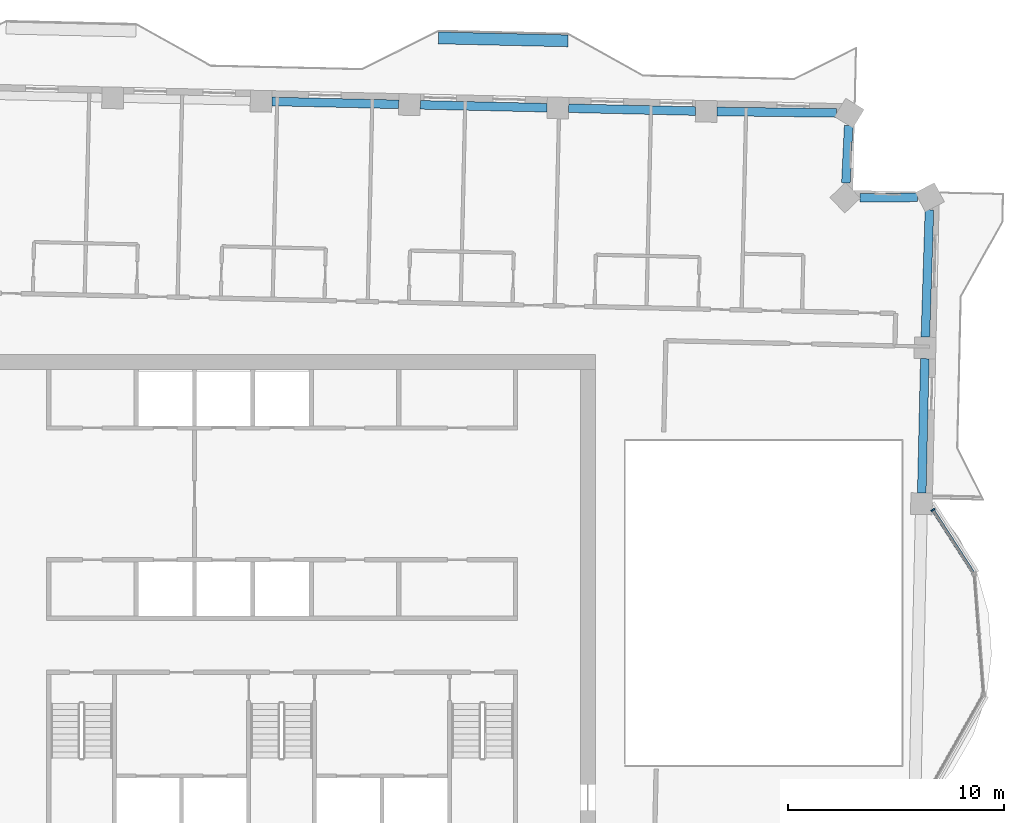
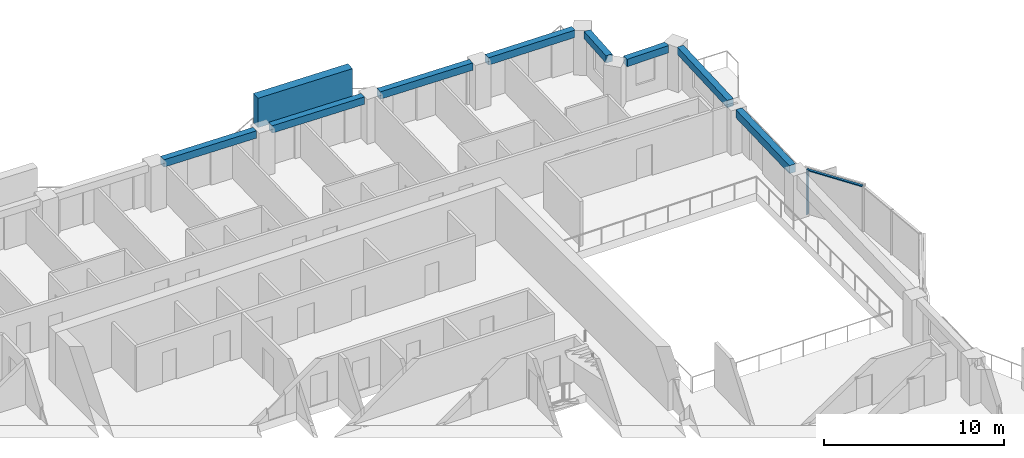
# One storey, part 4 of 17: 8 beams, 3 members, 1 element without a shape of its own.
"""IFC4 building model written with IfcOpenShell, lengths in metres."""

from ifc_helpers import new_model, si_unit, direction, frame, origin, origin_2d, place, context, subcontext, project, spatial, rectangle, extrude, material, material_profile, profile_set, type_object, element, aggregate, save


model = new_model("IFC4")

# Units and contexts
model_context = context("Model", 3, precision=1e-05, world=origin(), true_north=direction((0.0, 1.0)))
body_context = subcontext(model_context, "Body", "Model", "MODEL_VIEW")
ifc_project = project(units=[si_unit("LENGTHUNIT", "METRE"), si_unit("AREAUNIT", "SQUARE_METRE"), si_unit("VOLUMEUNIT", "CUBIC_METRE"), si_unit("PLANEANGLEUNIT", "RADIAN"), si_unit("MASSUNIT", "GRAM", prefix="KILO")], contexts=[model_context])

# Site, building, storey
site_placement = place(None, origin())
site = spatial("IfcSite", under=ifc_project, at=site_placement, CompositionType="ELEMENT")
building_placement = place(site_placement, origin())
building = spatial("IfcBuilding", under=site, at=building_placement, Name="Mangrove Gate Tower", CompositionType="ELEMENT")
storey_placement = place(building_placement, frame((0.0, 0.0, 268.10009765625)))
storey = spatial("IfcBuildingStorey", under=building, at=storey_placement, Name="L68", CompositionType="ELEMENT", Elevation=268.10009765625)

# Curtain wall, members
ifc_material_1 = material(Name="Aluminium and glass curtain wall", Category="aluminium")
curtain_wall_type = type_object("IfcCurtainWallType", Name="Atrium garden-court glazing wall", PredefinedType="NOTDEFINED", material=ifc_material_1)
curtain_wall_placement = place(storey_placement, origin())
curtain_wall = element("IfcCurtainWall", 1, at=curtain_wall_placement, inside=storey, type_object=curtain_wall_type, Name="Atrium garden-court glazing E1f3", PredefinedType="NOTDEFINED")
ifc_material_2 = material(Name="Aluminium alloy 6063-T6", Category="aluminium")
ifc_material_profile_1 = material_profile(ifc_material_2, rectangle(XDim=0.070068359375, YDim=0.199951171875, at=origin_2d()))
ifc_profile_set_1 = profile_set([ifc_material_profile_1], Name="Aluminium alloy 6063-T6")
member_type_1 = type_object("IfcMemberType", Name="Atrium garden-court glazing mullion 70x200", PredefinedType="MULLION", material=ifc_profile_set_1)
member_1_placement = place(storey_placement, frame((30.1083984375, 4.305419921875, 0.0), z_axis=(0.0, 0.0, 1.0), x_axis=(-0.540498107045, 0.841345230141, 0.0)))
member_1 = element("IfcMember", 2, at=member_1_placement, type_object=member_type_1, Name="CWA mullion 2", PredefinedType="MULLION", context=body_context, shape_type="SweptSolid", body=[
    extrude(rectangle(XDim=0.070068359375, YDim=0.199951171875, at=origin_2d()), origin(), (0.0, 0.0, 1.0), 3.0498046875),
])
ifc_material_3 = material(Name="Aluminium alloy 6063-T6", Category="aluminium")
ifc_material_profile_2 = material_profile(ifc_material_3, rectangle(XDim=0.070068359375, YDim=0.14990234375, at=origin_2d()))
ifc_profile_set_2 = profile_set([ifc_material_profile_2], Name="Aluminium alloy 6063-T6")
member_type_2 = type_object("IfcMemberType", Name="Atrium garden-court glazing transom 70x150", PredefinedType="USERDEFINED", material=ifc_profile_set_2)
member_2_placement = place(storey_placement, frame((31.980224609375, 1.391845703125, 3.014892578125), z_axis=(-0.540520015827, 0.84133115507, 0.0), x_axis=(0.0, 0.0, 1.0)))
member_2 = element("IfcMember", 3, at=member_2_placement, type_object=member_type_2, Name="CWA transom 1.2", ObjectType="TRANSOM", PredefinedType="USERDEFINED", context=body_context, shape_type="SweptSolid", body=[
    extrude(rectangle(XDim=0.070068359375, YDim=0.14990234375, at=origin_2d()), origin(), (0.0, 0.0, 1.0), 3.42822265625),
])
aggregate(curtain_wall, [member_1, member_2])

# Member
ifc_material_4 = material(Name="Planting on aluminium trellis", Category="aluminium")
ifc_material_profile_3 = material_profile(ifc_material_4, rectangle(XDim=0.550048828125, YDim=2.0, at=origin_2d()))
ifc_profile_set_3 = profile_set([ifc_material_profile_3], Name="Planting on aluminium trellis")
member_type_3 = type_object("IfcMemberType", Name="Balcony greenery screen 550x2000", PredefinedType="USERDEFINED", material=ifc_profile_set_3)
member_3_placement = place(storey_placement, frame((7.23193359375, 26.14404296875, 1.7998046875), z_axis=(0.999743178102, -0.022662255828, 0.0), x_axis=(0.022662255828, 0.999743178102, 0.0)))
element("IfcMember", 4, at=member_3_placement, inside=storey, type_object=member_type_3, Name="GREEN SCREEN L68 N0.1", ObjectType="PLANTING", PredefinedType="USERDEFINED", context=body_context, shape_type="SweptSolid", body=[
    extrude(rectangle(XDim=0.550048828125, YDim=2.0, at=origin_2d()), origin(), (0.0, 0.0, 1.0), 6.00048828125),
])

# Beams
ifc_material_5 = material(Name="Concrete C50/60", Category="concrete")
ifc_material_profile_4 = material_profile(ifc_material_5, rectangle(XDim=0.39990234375, YDim=0.5, at=origin_2d()))
ifc_profile_set_4 = profile_set([ifc_material_profile_4], Name="Concrete C50/60")
beam_type_1 = type_object("IfcBeamType", Name="Edge beam RC 400x500 C50/60", PredefinedType="BEAM", material=ifc_profile_set_4)
beam_1_placement = place(storey_placement, frame((29.763916015625, 12.302001953125, 2.7998046875), z_axis=(0.031759593867, 0.999495536857, 0.0), x_axis=(-0.999495536857, 0.031759593867, 0.0)))
element("IfcBeam", 5, at=beam_1_placement, inside=storey, type_object=beam_type_1, Name="Edge beam L68 17", PredefinedType="BEAM", context=body_context, shape_type="SweptSolid", body=[
    extrude(rectangle(XDim=0.39990234375, YDim=0.5, at=origin_2d()), origin(), (0.0, 0.0, 1.0), 5.89599609375),
])
beam_2_placement = place(storey_placement, frame((29.40625, 18.76611328125, 2.7998046875), z_axis=(-0.999982838494, -0.005858559288, 0.0), x_axis=(0.005858559288, -0.999982838494, 0.0)))
element("IfcBeam", 6, at=beam_2_placement, inside=storey, type_object=beam_type_1, Name="Edge beam L68 18", PredefinedType="BEAM", context=body_context, shape_type="SweptSolid", body=[
    extrude(rectangle(XDim=0.39990234375, YDim=0.5, at=origin_2d()), origin(), (0.0, 0.0, 1.0), 2.6669921875),
])
beam_3_placement = place(storey_placement, frame((26.085205078125, 19.43505859375, 2.7998046875), z_axis=(0.048675713211, 0.998814634927, 0.0), x_axis=(-0.998814634927, 0.048675713211, 0.0)))
element("IfcBeam", 7, at=beam_3_placement, inside=storey, type_object=beam_type_1, Name="Edge beam L68 19", PredefinedType="BEAM", context=body_context, shape_type="SweptSolid", body=[
    extrude(rectangle(XDim=0.39990234375, YDim=0.5, at=origin_2d()), origin(), (0.0, 0.0, 1.0), 2.663330078125),
])
beam_4_placement = place(storey_placement, frame((25.660400390625, 22.672119140625, 2.7998046875), z_axis=(-0.999922612995, 0.012440579585, 0.0), x_axis=(-0.012440579585, -0.999922612995, 0.0)))
element("IfcBeam", 8, at=beam_4_placement, inside=storey, type_object=beam_type_1, Name="Edge beam L68 20", PredefinedType="BEAM", context=body_context, shape_type="SweptSolid", body=[
    extrude(rectangle(XDim=0.39990234375, YDim=0.5, at=origin_2d()), origin(), (0.0, 0.0, 1.0), 5.5341796875),
])
beam_5_placement = place(storey_placement, frame((19.126708984375, 22.758544921875, 2.7998046875), z_axis=(-0.999741921459, 0.022717624818, 0.0), x_axis=(-0.022717624818, -0.999741921459, 0.0)))
element("IfcBeam", 9, at=beam_5_placement, inside=storey, type_object=beam_type_1, Name="Edge beam L68 21", PredefinedType="BEAM", context=body_context, shape_type="SweptSolid", body=[
    extrude(rectangle(XDim=0.39990234375, YDim=0.5, at=origin_2d()), origin(), (0.0, 0.0, 1.0), 5.86767578125),
])
beam_6_placement = place(storey_placement, frame((12.2607421875, 22.91455078125, 2.7998046875), z_axis=(-0.999741835545, 0.022721405353, 0.0), x_axis=(-0.022721405353, -0.999741835545, 0.0)))
element("IfcBeam", 10, at=beam_6_placement, inside=storey, type_object=beam_type_1, Name="Edge beam L68 22", PredefinedType="BEAM", context=body_context, shape_type="SweptSolid", body=[
    extrude(rectangle(XDim=0.39990234375, YDim=0.5, at=origin_2d()), origin(), (0.0, 0.0, 1.0), 5.86669921875),
])
beam_7_placement = place(storey_placement, frame((5.395751953125, 23.070556640625, 2.7998046875), z_axis=(-0.999741921459, 0.022717624818, 0.0), x_axis=(-0.022717624818, -0.999741921459, 0.0)))
element("IfcBeam", 11, at=beam_7_placement, inside=storey, type_object=beam_type_1, Name="Edge beam L68 23", PredefinedType="BEAM", context=body_context, shape_type="SweptSolid", body=[
    extrude(rectangle(XDim=0.39990234375, YDim=0.5, at=origin_2d()), origin(), (0.0, 0.0, 1.0), 5.86767578125),
])
ifc_material_6 = material(Name="Concrete C50/60", Category="concrete")
ifc_material_profile_5 = material_profile(ifc_material_6, rectangle(XDim=0.39990234375, YDim=0.550048828125, at=origin_2d()))
ifc_profile_set_5 = profile_set([ifc_material_profile_5], Name="Concrete C50/60")
beam_type_2 = type_object("IfcBeamType", Name="Edge beam RC 400x550 C50/60", PredefinedType="BEAM", material=ifc_profile_set_5)
beam_8_placement = place(storey_placement, frame((29.596435546875, 5.09228515625, 2.77490234375), z_axis=(0.022599093821, 0.999744607867, 0.0), x_axis=(-0.999744607867, 0.022599093821, 0.0)))
element("IfcBeam", 12, at=beam_8_placement, inside=storey, type_object=beam_type_2, Name="Edge beam L68 16", PredefinedType="BEAM", context=body_context, shape_type="SweptSolid", body=[
    extrude(rectangle(XDim=0.39990234375, YDim=0.550048828125, at=origin_2d()), origin(), (0.0, 0.0, 1.0), 6.211669921875),
])

save(model, "model.ifc")
